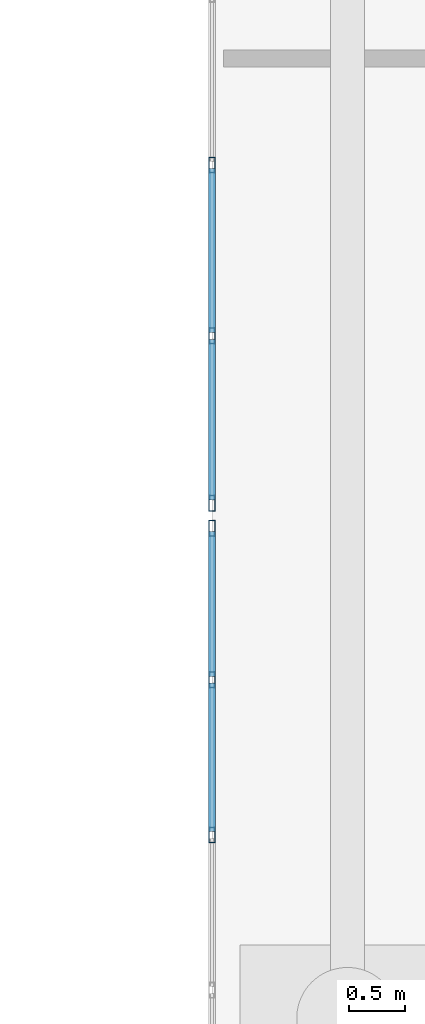
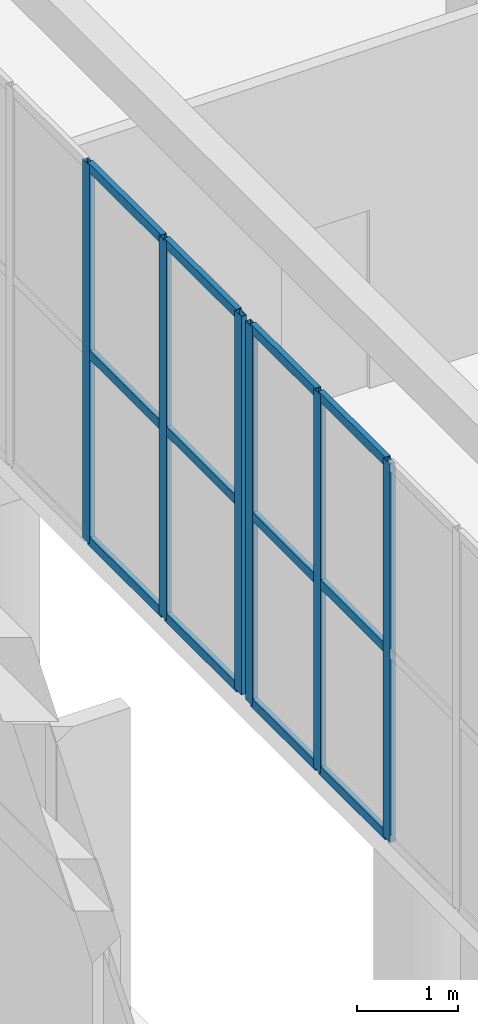
# One storey, part 54 of 192: 18 members, 2 elements without a shape of their own.
"""IFC4 building model written with IfcOpenShell, lengths in metres."""

import ifcopenshell
import ifcopenshell.guid

model = None  # the IFC model being written
_history = None  # IfcOwnerHistory: only IFC2X3 demands one
_inside = {}  # id of a spatial element -> (the spatial element, [elements in it])
_under = {}  # id of a project, library or spatial element -> (it, [spatial elements below it])
_declared = {}  # id of a project -> (the project, [libraries it declares])
_typed = {}  # id of a type object -> (the type object, [elements of that type])
_made_of = {}  # id of a material, layer set ... -> (it, [elements and type objects made of it])


def new_model(schema):
    """Start an empty IFC model of exactly this schema.

    Asked for "IFC4X3", IfcOpenShell would pick the latest addendum, in which some entities
    have other attributes; the version numbers below select the first issue.
    IFC2X3 requires an IfcOwnerHistory on every rooted entity: one is made here for all.
    """
    global model, _history
    if schema == "IFC4X3":
        model = ifcopenshell.file(schema_version=(4, 3, 0, 0))
    else:
        model = ifcopenshell.file(schema=schema)
    _inside.clear()
    _under.clear()
    _declared.clear()
    _typed.clear()
    _made_of.clear()
    _history = None
    if model.schema == "IFC2X3":
        org = make("IfcOrganization", Name="unknown")
        user = make(
            "IfcPersonAndOrganization",
            ThePerson=make("IfcPerson", FamilyName="unknown"),
            TheOrganization=org,
        )
        app = make(
            "IfcApplication",
            ApplicationDeveloper=org,
            Version="unknown",
            ApplicationFullName="unknown",
            ApplicationIdentifier="unknown",
        )
        _history = make(
            "IfcOwnerHistory",
            OwningUser=user,
            OwningApplication=app,
            ChangeAction="ADDED",
            CreationDate=0,
        )
    return model


def make(cls, **values):
    """One entity of the class cls with the attributes given. An attribute that is None is left unset."""
    return model.create_entity(
        cls, **{name: value for name, value in values.items() if value is not None}
    )


def rooted(cls, **values):
    """An entity with a GlobalId (a new one), such as an element, a storey or a relation."""
    return make(cls, GlobalId=ifcopenshell.guid.new(), OwnerHistory=_history, **values)


def si_unit(unit_type, name, prefix=None):
    """IfcSIUnit, for example si_unit("LENGTHUNIT", "METRE", prefix="MILLI")."""
    return make("IfcSIUnit", UnitType=unit_type, Prefix=prefix, Name=name)


def assignment(units):
    """IfcUnitAssignment: the units of a project."""
    return None if units is None else make("IfcUnitAssignment", Units=units)


def point(xyz):
    """IfcCartesianPoint."""
    return None if xyz is None else make("IfcCartesianPoint", Coordinates=xyz)


def direction(xyz):
    """IfcDirection."""
    return None if xyz is None else make("IfcDirection", DirectionRatios=xyz)


def frame(location, z_axis=None, x_axis=None):
    """IfcAxis2Placement3D, a coordinate frame: its origin and axes. An axis left out is left unset."""
    return make(
        "IfcAxis2Placement3D",
        Location=point(location),
        Axis=direction(z_axis),
        RefDirection=direction(x_axis),
    )


def frame_2d(location, x_axis=None):
    """IfcAxis2Placement2D, a coordinate frame in the plane: its origin and x axis."""
    return make(
        "IfcAxis2Placement2D", Location=point(location), RefDirection=direction(x_axis)
    )


def origin():
    """The frame at (0, 0, 0) with its axes left unset."""
    return frame((0.0, 0.0, 0.0))


def origin_2d():
    """The frame at (0, 0) in the plane with its x axis left unset."""
    return frame_2d((0.0, 0.0))


def place(relative_to, where):
    """IfcLocalPlacement: puts the frame where relative to a parent placement (None: the world)."""
    return make(
        "IfcLocalPlacement", PlacementRelTo=relative_to, RelativePlacement=where
    )


def context(
    kind, dimensions, precision=None, world=None, true_north=None, identifier=None
):
    """IfcGeometricRepresentationContext, for example the 3D "Model" context."""
    return make(
        "IfcGeometricRepresentationContext",
        ContextIdentifier=identifier,
        ContextType=kind,
        CoordinateSpaceDimension=dimensions,
        Precision=precision,
        WorldCoordinateSystem=world,
        TrueNorth=true_north,
    )


def subcontext(parent, identifier, kind, view, scale=None):
    """IfcGeometricRepresentationSubContext, for example "Body" below "Model"."""
    return make(
        "IfcGeometricRepresentationSubContext",
        ContextIdentifier=identifier,
        ContextType=kind,
        ParentContext=parent,
        TargetScale=scale,
        TargetView=view,
    )


def project(units=None, contexts=None):
    """IfcProject with its units and contexts."""
    return rooted(
        "IfcProject",
        Name="project",
        RepresentationContexts=contexts,
        UnitsInContext=assignment(units),
    )


def spatial(cls, under=None, at=None, **own):
    """A site, building, storey or space (cls), placed at a placement, below another one or the project."""
    s = rooted(cls, ObjectPlacement=at, **own)
    if under is not None:
        _under.setdefault(under.id(), (under, []))[1].append(s)
    return s


def profile(cls, at=None, kind="AREA", **sizes):
    """A parametric profile (cls). Its sizes go by their IFC names, for example OverallWidth=200.0."""
    return make(cls, ProfileType=kind, Position=at, **sizes)


def hollow_rectangle(**sizes):
    """IfcRectangleHollowProfileDef."""
    return profile("IfcRectangleHollowProfileDef", **sizes)


def extrude(swept, where, along, depth):
    """IfcExtrudedAreaSolid: the profile swept, set in the frame where, extruded along a direction by depth."""
    return make(
        "IfcExtrudedAreaSolid",
        SweptArea=swept,
        Position=where,
        ExtrudedDirection=direction(along),
        Depth=depth,
    )


def shape(context_of_items, identifier, shape_type, items):
    """IfcShapeRepresentation: the items that make up one representation, for example the "Body"."""
    return make(
        "IfcShapeRepresentation",
        ContextOfItems=context_of_items,
        RepresentationIdentifier=identifier,
        RepresentationType=shape_type,
        Items=items,
    )


def material(Name=None, Category=None):
    """IfcMaterial."""
    return make("IfcMaterial", Name=Name, Category=Category)


def layer(
    of_material, thickness, ventilated=None, Name=None, Category=None, Priority=None
):
    """IfcMaterialLayer: one layer of a wall or slab, of a material (None: an air gap)."""
    return make(
        "IfcMaterialLayer",
        Material=of_material,
        LayerThickness=thickness,
        IsVentilated=ventilated,
        Name=Name,
        Category=Category,
        Priority=Priority,
    )


def layer_set(layers, Name=None):
    """IfcMaterialLayerSet."""
    return make("IfcMaterialLayerSet", MaterialLayers=layers, LayerSetName=Name)


def material_profile(
    of_material, cross_section, Name=None, Category=None, Priority=None
):
    """IfcMaterialProfile: a cross section and its material."""
    return make(
        "IfcMaterialProfile",
        Name=Name,
        Material=of_material,
        Profile=cross_section,
        Priority=Priority,
        Category=Category,
    )


def profile_set(profiles, Name=None, composite=None):
    """IfcMaterialProfileSet."""
    return make(
        "IfcMaterialProfileSet",
        Name=Name,
        MaterialProfiles=profiles,
        CompositeProfile=composite,
    )


def made_of(thing, what):
    """Note that an element or type object is made of a material, layer set ...; save() writes the relation."""
    if what is not None:
        _made_of.setdefault(what.id(), (what, []))[1].append(thing)
    return thing


def type_object(cls, material=None, **own):
    """A type object (cls), such as IfcWallType, which elements share."""
    return made_of(rooted(cls, **own), material)


def element(
    cls,
    number,
    at=None,
    inside=None,
    cuts=None,
    type_object=None,
    material=None,
    context=None,
    identifier="Body",
    shape_type=None,
    held_by="IfcProductDefinitionShape",
    body=None,
    shapes=None,
    **own,
):
    """One element of the class cls, such as IfcWall. Its Tag is "e" and its number.

    at: its placement. inside: the storey or other place that contains it. cuts: it is an
    opening in that element (IfcRelVoidsElement). A single representation is given by context,
    identifier, shape_type and body (its items); several are given by shapes. held_by: the class
    of the entity that holds the representations. save() writes the other relations.
    """
    e = rooted(cls, Tag="e%d" % number, ObjectPlacement=at, **own)
    if body is not None:
        shapes = [shape(context, identifier, shape_type, body)]
    if shapes is not None:
        e.Representation = make(held_by, Representations=shapes)
    if inside is not None:
        _inside.setdefault(inside.id(), (inside, []))[1].append(e)
    if cuts is not None:
        rooted(
            "IfcRelVoidsElement", RelatingBuildingElement=cuts, RelatedOpeningElement=e
        )
    if type_object is not None:
        _typed.setdefault(type_object.id(), (type_object, []))[1].append(e)
    return made_of(e, material)


def aggregate(whole, parts):
    """IfcRelAggregates: a whole, such as a stair, and the parts it consists of."""
    return rooted("IfcRelAggregates", RelatingObject=whole, RelatedObjects=parts)


def save(model, path):
    """Write the relations noted so far, then the file.

    IfcRelAggregates (storeys below a building ...), IfcRelContainedInSpatialStructure (elements
    in a storey), IfcRelDefinesByType, IfcRelAssociatesMaterial and IfcRelDeclares: one each for
    every whole, place, type object, material and project.
    """
    for whole, parts in _under.values():
        aggregate(whole, parts)
    for where, things in _inside.values():
        rooted(
            "IfcRelContainedInSpatialStructure",
            RelatedElements=things,
            RelatingStructure=where,
        )
    for kind, things in _typed.values():
        rooted("IfcRelDefinesByType", RelatedObjects=things, RelatingType=kind)
    for what, things in _made_of.values():
        rooted("IfcRelAssociatesMaterial", RelatedObjects=things, RelatingMaterial=what)
    for by, libraries in _declared.values():
        rooted("IfcRelDeclares", RelatingContext=by, RelatedDefinitions=libraries)
    model.write(path)


model = new_model("IFC4")

# Units and contexts
model_context = context("Model", 3, precision=1e-05, world=origin(), true_north=direction((0.0, 1.0)))
body_context = subcontext(model_context, "Body", "Model", "MODEL_VIEW")
ifc_project = project(units=[si_unit("LENGTHUNIT", "METRE"), si_unit("AREAUNIT", "SQUARE_METRE"), si_unit("VOLUMEUNIT", "CUBIC_METRE"), si_unit("PLANEANGLEUNIT", "RADIAN"), si_unit("MASSUNIT", "GRAM", prefix="KILO")], contexts=[model_context])

# Site, building, storey
site_placement = place(None, origin())
site = spatial("IfcSite", under=ifc_project, at=site_placement, CompositionType="ELEMENT")
building_placement = place(site_placement, origin())
building = spatial("IfcBuilding", under=site, at=building_placement, Name="Trelvath General Hospital", CompositionType="ELEMENT")
storey_placement = place(building_placement, origin())
storey = spatial("IfcBuildingStorey", under=building, at=storey_placement, Name="L00", CompositionType="ELEMENT", Elevation=0.0)

# Curtain wall, members
ifc_material_1 = material(Name="Anodised aluminium and low-E glass", Category="aluminium")
ifc_layer_1 = layer(ifc_material_1, 0.139892578125)
ifc_layer_set_1 = layer_set([ifc_layer_1], Name="Anodised aluminium and low-E glass")
curtain_wall_type_1 = type_object("IfcCurtainWallType", Name="CW CrystalCube 824 456 14", PredefinedType="USERDEFINED", material=ifc_layer_set_1)
curtain_wall_1_placement = place(storey_placement, origin())
curtain_wall_1 = element("IfcCurtainWall", 1, at=curtain_wall_1_placement, inside=storey, type_object=curtain_wall_type_1, Name="Crystal Cube Curtain Wall CUBE-W-T0 W3 L00", ObjectType="Unitised Glazed Curtain Wall", PredefinedType="USERDEFINED")
ifc_material_2 = material(Name="Anodised aluminium", Category="aluminium")
ifc_material_profile_1 = material_profile(ifc_material_2, hollow_rectangle(XDim=0.06005859375, YDim=0.139892578125, WallThickness=0.00390625, at=origin_2d()), Name="RHS60x140x4")
ifc_profile_set_1 = profile_set([ifc_material_profile_1], Name="Anodised aluminium")
member_type_1 = type_object("IfcMemberType", Name="CurtainMullion 60x140", PredefinedType="MULLION", material=ifc_profile_set_1)
member_1_placement = place(storey_placement, frame((46.800048828125, 47.5732421875, 0.0), z_axis=(0.0, 0.0, 1.0), x_axis=(-1.0, 0.0, 0.0)))
member_1 = element("IfcMember", 2, at=member_1_placement, type_object=member_type_1, Name="CW-098 mullion 5", PredefinedType="MULLION", context=body_context, shape_type="SweptSolid", body=[
    extrude(hollow_rectangle(XDim=0.06005859375, YDim=0.139892578125, WallThickness=0.00390625, at=origin_2d()), origin(), (0.0, 0.0, 1.0), 4.56005859375),
])
member_2_placement = place(storey_placement, frame((46.800048828125, 48.94677734375, 0.0), z_axis=(0.0, 0.0, 1.0), x_axis=(-1.0, 0.0, 0.0)))
member_2 = element("IfcMember", 3, at=member_2_placement, type_object=member_type_1, Name="CW-098 mullion 6", PredefinedType="MULLION", context=body_context, shape_type="SweptSolid", body=[
    extrude(hollow_rectangle(XDim=0.06005859375, YDim=0.139892578125, WallThickness=0.00390625, at=origin_2d()), origin(), (0.0, 0.0, 1.0), 4.56005859375),
])
member_3_placement = place(storey_placement, frame((46.800048828125, 50.2900390625, 0.0), z_axis=(0.0, 0.0, 1.0), x_axis=(-1.0, 0.0, 0.0)))
member_3 = element("IfcMember", 4, at=member_3_placement, type_object=member_type_1, Name="CW-098 mullion 7", PredefinedType="MULLION", context=body_context, shape_type="SweptSolid", body=[
    extrude(hollow_rectangle(XDim=0.06005859375, YDim=0.139892578125, WallThickness=0.00390625, at=origin_2d()), origin(), (0.0, 0.0, 1.0), 4.56005859375),
])

ifc_material_3 = material(Name="Anodised aluminium and low-E glass", Category="aluminium")
ifc_layer_2 = layer(ifc_material_3, 0.139892578125)
ifc_layer_set_2 = layer_set([ifc_layer_2], Name="Anodised aluminium and low-E glass")
curtain_wall_type_2 = type_object("IfcCurtainWallType", Name="CW CrystalCube 1664 456 14", PredefinedType="USERDEFINED", material=ifc_layer_set_2)
curtain_wall_2_placement = place(storey_placement, origin())
curtain_wall_2 = element("IfcCurtainWall", 5, at=curtain_wall_2_placement, inside=storey, type_object=curtain_wall_type_2, Name="Crystal Cube Curtain Wall CUBE-W-T0 W4 L00", ObjectType="Unitised Glazed Curtain Wall", PredefinedType="USERDEFINED")
member_4_placement = place(storey_placement, frame((46.800048828125, 50.510009765625, 0.0), z_axis=(0.0, 0.0, 1.0), x_axis=(-1.0, 0.0, 0.0)))
member_4 = element("IfcMember", 6, at=member_4_placement, type_object=member_type_1, Name="CW-099 mullion 1", PredefinedType="MULLION", context=body_context, shape_type="SweptSolid", body=[
    extrude(hollow_rectangle(XDim=0.06005859375, YDim=0.139892578125, WallThickness=0.00390625, at=origin_2d()), origin(), (0.0, 0.0, 1.0), 4.56005859375),
])
member_5_placement = place(storey_placement, frame((46.800048828125, 51.99267578125, 0.0), z_axis=(0.0, 0.0, 1.0), x_axis=(-1.0, 0.0, 0.0)))
member_5 = element("IfcMember", 7, at=member_5_placement, type_object=member_type_1, Name="CW-099 mullion 2", PredefinedType="MULLION", context=body_context, shape_type="SweptSolid", body=[
    extrude(hollow_rectangle(XDim=0.06005859375, YDim=0.139892578125, WallThickness=0.00390625, at=origin_2d()), origin(), (0.0, 0.0, 1.0), 4.56005859375),
])
member_6_placement = place(storey_placement, frame((46.800048828125, 53.50537109375, 0.0), z_axis=(0.0, 0.0, 1.0), x_axis=(-1.0, 0.0, 0.0)))
member_6 = element("IfcMember", 8, at=member_6_placement, type_object=member_type_1, Name="CW-099 mullion 3", PredefinedType="MULLION", context=body_context, shape_type="SweptSolid", body=[
    extrude(hollow_rectangle(XDim=0.06005859375, YDim=0.139892578125, WallThickness=0.00390625, at=origin_2d()), origin(), (0.0, 0.0, 1.0), 4.56005859375),
])

# Member
ifc_material_4 = material(Name="Anodised aluminium", Category="aluminium")
ifc_material_profile_2 = material_profile(ifc_material_4, hollow_rectangle(XDim=0.06005859375, YDim=0.110107421875, WallThickness=0.00390625, at=origin_2d()), Name="RHS60x110x4")
ifc_profile_set_2 = profile_set([ifc_material_profile_2], Name="Anodised aluminium")
member_type_2 = type_object("IfcMemberType", Name="CurtainTransom 60x110", PredefinedType="USERDEFINED", material=ifc_profile_set_2)
member_7_placement = place(storey_placement, frame((46.800048828125, 47.603271484375, 0.030029296875), z_axis=(0.0, 1.0, 0.0), x_axis=(-1.0, 0.0, 0.0)))
member_7 = element("IfcMember", 9, at=member_7_placement, type_object=member_type_2, Name="CW-098 transom 5.1", ObjectType="TRANSOM", PredefinedType="USERDEFINED", context=body_context, shape_type="SweptSolid", body=[
    extrude(hollow_rectangle(XDim=0.06005859375, YDim=0.110107421875, WallThickness=0.00390625, at=origin_2d()), origin(), (0.0, 0.0, 1.0), 1.3134765625),
])

member_8_placement = place(storey_placement, frame((46.800048828125, 47.603271484375, 2.280029296875), z_axis=(0.0, 1.0, 0.0), x_axis=(-1.0, 0.0, 0.0)))
member_8 = element("IfcMember", 10, at=member_8_placement, type_object=member_type_2, Name="CW-098 transom 5.2", ObjectType="TRANSOM", PredefinedType="USERDEFINED", context=body_context, shape_type="SweptSolid", body=[
    extrude(hollow_rectangle(XDim=0.06005859375, YDim=0.110107421875, WallThickness=0.00390625, at=origin_2d()), origin(), (0.0, 0.0, 1.0), 1.3134765625),
])

member_9_placement = place(storey_placement, frame((46.800048828125, 47.603271484375, 4.530029296875), z_axis=(0.0, 1.0, 0.0), x_axis=(-1.0, 0.0, 0.0)))
member_9 = element("IfcMember", 11, at=member_9_placement, type_object=member_type_2, Name="CW-098 transom 5.3", ObjectType="TRANSOM", PredefinedType="USERDEFINED", context=body_context, shape_type="SweptSolid", body=[
    extrude(hollow_rectangle(XDim=0.06005859375, YDim=0.110107421875, WallThickness=0.00390625, at=origin_2d()), origin(), (0.0, 0.0, 1.0), 1.3134765625),
])

member_10_placement = place(storey_placement, frame((46.800048828125, 48.9765625, 0.030029296875), z_axis=(0.0, 1.0, 0.0), x_axis=(-1.0, 0.0, 0.0)))
member_10 = element("IfcMember", 12, at=member_10_placement, type_object=member_type_2, Name="CW-098 transom 6.1", ObjectType="TRANSOM", PredefinedType="USERDEFINED", context=body_context, shape_type="SweptSolid", body=[
    extrude(hollow_rectangle(XDim=0.06005859375, YDim=0.110107421875, WallThickness=0.00390625, at=origin_2d()), origin(), (0.0, 0.0, 1.0), 1.283447265625),
])

member_11_placement = place(storey_placement, frame((46.800048828125, 48.9765625, 2.280029296875), z_axis=(0.0, 1.0, 0.0), x_axis=(-1.0, 0.0, 0.0)))
member_11 = element("IfcMember", 13, at=member_11_placement, type_object=member_type_2, Name="CW-098 transom 6.2", ObjectType="TRANSOM", PredefinedType="USERDEFINED", context=body_context, shape_type="SweptSolid", body=[
    extrude(hollow_rectangle(XDim=0.06005859375, YDim=0.110107421875, WallThickness=0.00390625, at=origin_2d()), origin(), (0.0, 0.0, 1.0), 1.283447265625),
])

member_12_placement = place(storey_placement, frame((46.800048828125, 48.9765625, 4.530029296875), z_axis=(0.0, 1.0, 0.0), x_axis=(-1.0, 0.0, 0.0)))
member_12 = element("IfcMember", 14, at=member_12_placement, type_object=member_type_2, Name="CW-098 transom 6.3", ObjectType="TRANSOM", PredefinedType="USERDEFINED", context=body_context, shape_type="SweptSolid", body=[
    extrude(hollow_rectangle(XDim=0.06005859375, YDim=0.110107421875, WallThickness=0.00390625, at=origin_2d()), origin(), (0.0, 0.0, 1.0), 1.283447265625),
])

aggregate(curtain_wall_1, [member_1, member_2, member_3, member_7, member_8, member_9, member_10, member_11, member_12])

member_13_placement = place(storey_placement, frame((46.800048828125, 50.5400390625, 0.030029296875), z_axis=(0.0, 1.0, 0.0), x_axis=(-1.0, 0.0, 0.0)))
member_13 = element("IfcMember", 15, at=member_13_placement, type_object=member_type_2, Name="CW-099 transom 1.1", ObjectType="TRANSOM", PredefinedType="USERDEFINED", context=body_context, shape_type="SweptSolid", body=[
    extrude(hollow_rectangle(XDim=0.06005859375, YDim=0.110107421875, WallThickness=0.00390625, at=origin_2d()), origin(), (0.0, 0.0, 1.0), 1.422607421875),
])

member_14_placement = place(storey_placement, frame((46.800048828125, 50.5400390625, 2.280029296875), z_axis=(0.0, 1.0, 0.0), x_axis=(-1.0, 0.0, 0.0)))
member_14 = element("IfcMember", 16, at=member_14_placement, type_object=member_type_2, Name="CW-099 transom 1.2", ObjectType="TRANSOM", PredefinedType="USERDEFINED", context=body_context, shape_type="SweptSolid", body=[
    extrude(hollow_rectangle(XDim=0.06005859375, YDim=0.110107421875, WallThickness=0.00390625, at=origin_2d()), origin(), (0.0, 0.0, 1.0), 1.422607421875),
])

member_15_placement = place(storey_placement, frame((46.800048828125, 50.5400390625, 4.530029296875), z_axis=(0.0, 1.0, 0.0), x_axis=(-1.0, 0.0, 0.0)))
member_15 = element("IfcMember", 17, at=member_15_placement, type_object=member_type_2, Name="CW-099 transom 1.3", ObjectType="TRANSOM", PredefinedType="USERDEFINED", context=body_context, shape_type="SweptSolid", body=[
    extrude(hollow_rectangle(XDim=0.06005859375, YDim=0.110107421875, WallThickness=0.00390625, at=origin_2d()), origin(), (0.0, 0.0, 1.0), 1.422607421875),
])

member_16_placement = place(storey_placement, frame((46.800048828125, 52.022705078125, 0.030029296875), z_axis=(0.0, 1.0, 0.0), x_axis=(-1.0, 0.0, 0.0)))
member_16 = element("IfcMember", 18, at=member_16_placement, type_object=member_type_2, Name="CW-099 transom 2.1", ObjectType="TRANSOM", PredefinedType="USERDEFINED", context=body_context, shape_type="SweptSolid", body=[
    extrude(hollow_rectangle(XDim=0.06005859375, YDim=0.110107421875, WallThickness=0.00390625, at=origin_2d()), origin(), (0.0, 0.0, 1.0), 1.45263671875),
])

member_17_placement = place(storey_placement, frame((46.800048828125, 52.022705078125, 2.280029296875), z_axis=(0.0, 1.0, 0.0), x_axis=(-1.0, 0.0, 0.0)))
member_17 = element("IfcMember", 19, at=member_17_placement, type_object=member_type_2, Name="CW-099 transom 2.2", ObjectType="TRANSOM", PredefinedType="USERDEFINED", context=body_context, shape_type="SweptSolid", body=[
    extrude(hollow_rectangle(XDim=0.06005859375, YDim=0.110107421875, WallThickness=0.00390625, at=origin_2d()), origin(), (0.0, 0.0, 1.0), 1.45263671875),
])

member_18_placement = place(storey_placement, frame((46.800048828125, 52.022705078125, 4.530029296875), z_axis=(0.0, 1.0, 0.0), x_axis=(-1.0, 0.0, 0.0)))
member_18 = element("IfcMember", 20, at=member_18_placement, type_object=member_type_2, Name="CW-099 transom 2.3", ObjectType="TRANSOM", PredefinedType="USERDEFINED", context=body_context, shape_type="SweptSolid", body=[
    extrude(hollow_rectangle(XDim=0.06005859375, YDim=0.110107421875, WallThickness=0.00390625, at=origin_2d()), origin(), (0.0, 0.0, 1.0), 1.45263671875),
])

aggregate(curtain_wall_2, [member_4, member_5, member_6, member_13, member_14, member_15, member_16, member_17, member_18])

save(model, "model.ifc")
